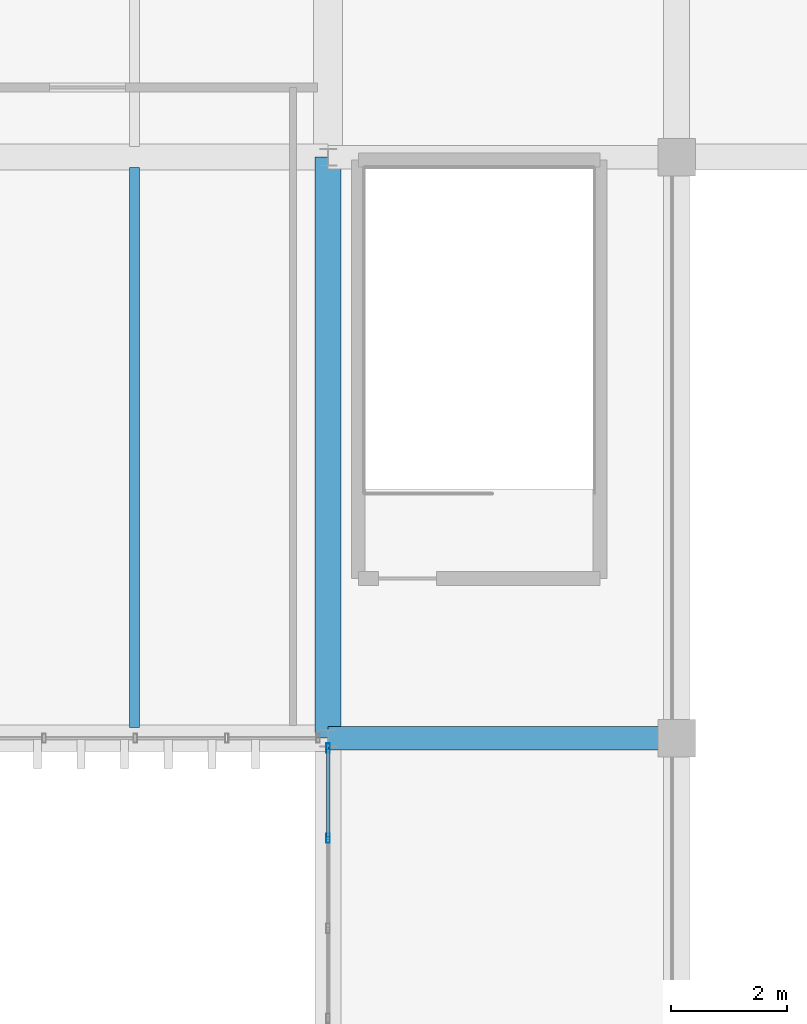
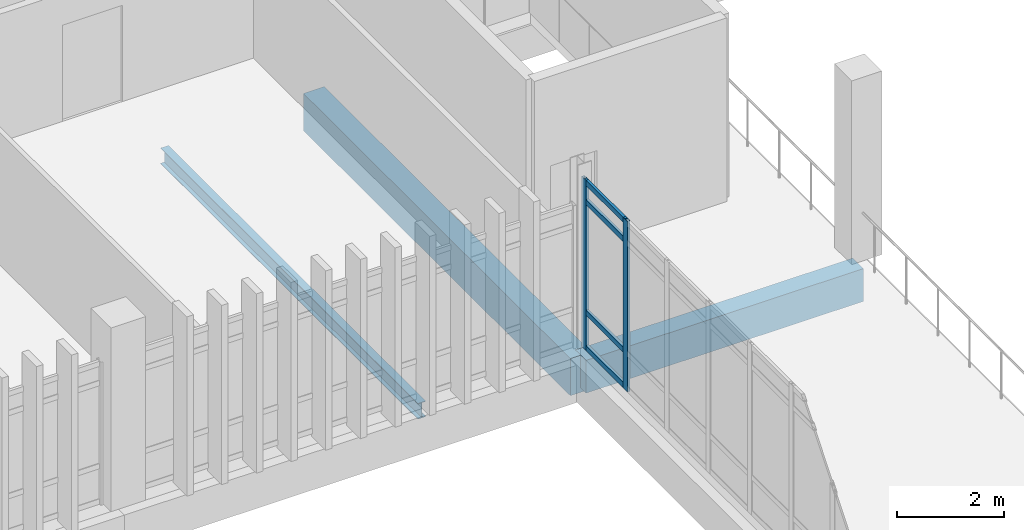
# One storey, part 89 of 161: 6 members, 3 beams, 1 element without a shape of its own.
"""IFC4 building model written with IfcOpenShell, lengths in metres."""

from ifc_helpers import new_model, si_unit, direction, frame, origin, origin_2d, place, context, subcontext, project, spatial, rectangle, hollow_rectangle, i_section, extrude, material, layer, layer_set, material_profile, profile_set, type_object, element, aggregate, save


model = new_model("IFC4")

# Units and contexts
model_context = context("Model", 3, precision=1e-05, world=origin(), true_north=direction((0.0, 1.0)))
body_context = subcontext(model_context, "Body", "Model", "MODEL_VIEW")
ifc_project = project(units=[si_unit("LENGTHUNIT", "METRE"), si_unit("AREAUNIT", "SQUARE_METRE"), si_unit("VOLUMEUNIT", "CUBIC_METRE"), si_unit("PLANEANGLEUNIT", "RADIAN"), si_unit("MASSUNIT", "GRAM", prefix="KILO")], contexts=[model_context])

# Site, building, storey
site_placement = place(None, origin())
site = spatial("IfcSite", under=ifc_project, at=site_placement, CompositionType="ELEMENT")
building_placement = place(site_placement, origin())
building = spatial("IfcBuilding", under=site, at=building_placement, Name="Mersad Railyard Sports Hall", CompositionType="ELEMENT")
storey_placement = place(building_placement, frame((0.0, 0.0, 4.800048828125)))
storey = spatial("IfcBuildingStorey", under=building, at=storey_placement, Name="L01", CompositionType="ELEMENT", Elevation=4.800048828125)

# Curtain wall, members
ifc_material_1 = material(Name="Aluminium 6063-T6", Category="aluminium")
ifc_layer = layer(ifc_material_1, 0.159912109375)
ifc_layer_set = layer_set([ifc_layer], Name="Aluminium 6063-T6")
curtain_wall_type = type_object("IfcCurtainWallType", Name="ARC-CW-CW27", PredefinedType="USERDEFINED", material=ifc_layer_set)
curtain_wall_placement = place(storey_placement, origin())
curtain_wall = element("IfcCurtainWall", 1, at=curtain_wall_placement, inside=storey, type_object=curtain_wall_type, Name="Curtain wall CW27-0078", ObjectType="CURTAIN WALL", PredefinedType="USERDEFINED")
ifc_material_profile_1 = material_profile(ifc_material_1, hollow_rectangle(XDim=0.06005859375, YDim=0.159912109375, WallThickness=0.00390625, at=origin_2d()), Name="AL MULLION 60x160x4")
ifc_profile_set_1 = profile_set([ifc_material_profile_1], Name="Aluminium 6063-T6")
member_type_1 = type_object("IfcMemberType", Name="ARC-CW-MUL01", PredefinedType="MULLION", material=ifc_profile_set_1)
member_1_placement = place(storey_placement, frame((131.0, 83.278564453125, -0.02001953125), z_axis=(0.0, 0.0, 1.0), x_axis=(1.0, 0.0, 0.0)))
member_1 = element("IfcMember", 2, at=member_1_placement, type_object=member_type_1, Name="CW27 Mullion 7", PredefinedType="MULLION", context=body_context, shape_type="SweptSolid", body=[
    extrude(hollow_rectangle(XDim=0.06005859375, YDim=0.159912109375, WallThickness=0.00390625, at=origin_2d()), origin(), (0.0, 0.0, 1.0), 3.89990234375),
])
member_2_placement = place(storey_placement, frame((131.0, 84.830078125, -0.02001953125), z_axis=(0.0, 0.0, 1.0), x_axis=(1.0, 0.0, 0.0)))
member_2 = element("IfcMember", 3, at=member_2_placement, type_object=member_type_1, Name="CW27 Mullion 8", PredefinedType="MULLION", context=body_context, shape_type="SweptSolid", body=[
    extrude(hollow_rectangle(XDim=0.06005859375, YDim=0.159912109375, WallThickness=0.00390625, at=origin_2d()), origin(), (0.0, 0.0, 1.0), 3.89990234375),
])
ifc_material_profile_2 = material_profile(ifc_material_1, hollow_rectangle(XDim=0.06005859375, YDim=0.1201171875, WallThickness=0.00390625, at=origin_2d()), Name="AL TRANSOM 60x120x4")
ifc_profile_set_2 = profile_set([ifc_material_profile_2], Name="Aluminium 6063-T6")
member_type_2 = type_object("IfcMemberType", Name="ARC-CW-TRN01", PredefinedType="USERDEFINED", material=ifc_profile_set_2)
member_3_placement = place(storey_placement, frame((131.0, 83.298583984375, 0.0400390625), z_axis=(0.0, 1.0, 0.0), x_axis=(-1.0, 0.0, 0.0)))
member_3 = element("IfcMember", 4, at=member_3_placement, type_object=member_type_2, Name="CW27 Transom 1-7", ObjectType="TRANSOM", PredefinedType="USERDEFINED", context=body_context, shape_type="SweptSolid", body=[
    extrude(hollow_rectangle(XDim=0.06005859375, YDim=0.1201171875, WallThickness=0.00390625, at=origin_2d()), origin(), (0.0, 0.0, 1.0), 1.511474609375),
])
member_4_placement = place(storey_placement, frame((131.0, 83.298583984375, 0.849853515625), z_axis=(0.0, 1.0, 0.0), x_axis=(-1.0, 0.0, 0.0)))
member_4 = element("IfcMember", 5, at=member_4_placement, type_object=member_type_2, Name="CW27 Transom 2-7", ObjectType="TRANSOM", PredefinedType="USERDEFINED", context=body_context, shape_type="SweptSolid", body=[
    extrude(hollow_rectangle(XDim=0.06005859375, YDim=0.1201171875, WallThickness=0.00390625, at=origin_2d()), origin(), (0.0, 0.0, 1.0), 1.511474609375),
])
member_5_placement = place(storey_placement, frame((131.0, 83.298583984375, 3.3798828125), z_axis=(0.0, 1.0, 0.0), x_axis=(-1.0, 0.0, 0.0)))
member_5 = element("IfcMember", 6, at=member_5_placement, type_object=member_type_2, Name="CW27 Transom 3-7", ObjectType="TRANSOM", PredefinedType="USERDEFINED", context=body_context, shape_type="SweptSolid", body=[
    extrude(hollow_rectangle(XDim=0.06005859375, YDim=0.1201171875, WallThickness=0.00390625, at=origin_2d()), origin(), (0.0, 0.0, 1.0), 1.511474609375),
])
member_6_placement = place(storey_placement, frame((131.0, 83.298583984375, 3.820068359375), z_axis=(0.0, 1.0, 0.0), x_axis=(-1.0, 0.0, 0.0)))
member_6 = element("IfcMember", 7, at=member_6_placement, type_object=member_type_2, Name="CW27 Transom 4-7", ObjectType="TRANSOM", PredefinedType="USERDEFINED", context=body_context, shape_type="SweptSolid", body=[
    extrude(hollow_rectangle(XDim=0.06005859375, YDim=0.1201171875, WallThickness=0.00390625, at=origin_2d()), origin(), (0.0, 0.0, 1.0), 1.511474609375),
])
aggregate(curtain_wall, [member_1, member_2, member_3, member_4, member_5, member_6])

# Beams
ifc_material_2 = material(Name="Concrete C40/50", Category="concrete")
ifc_material_profile_3 = material_profile(ifc_material_2, rectangle(XDim=0.39990234375, YDim=0.75, at=origin_2d()), Name="RC 400x750")
ifc_profile_set_3 = profile_set([ifc_material_profile_3], Name="Concrete C40/50")
beam_type_1 = type_object("IfcBeamType", Name="STR-BM-B01", PredefinedType="BEAM", material=ifc_profile_set_3)
beam_1_placement = place(storey_placement, frame((131.0, 85.0, -0.655029296875), z_axis=(1.0, 0.0, 0.0), x_axis=(0.0, 1.0, 0.0)))
element("IfcBeam", 8, at=beam_1_placement, inside=storey, type_object=beam_type_1, Name="Beam B01-0901", PredefinedType="BEAM", context=body_context, shape_type="SweptSolid", body=[
    extrude(rectangle(XDim=0.39990234375, YDim=0.75, at=origin_2d()), origin(), (0.0, 0.0, 1.0), 6.0),
])
ifc_material_profile_4 = material_profile(ifc_material_2, rectangle(XDim=0.449951171875, YDim=0.85009765625, at=origin_2d()), Name="RC 450x850")
ifc_profile_set_4 = profile_set([ifc_material_profile_4], Name="Concrete C40/50")
beam_type_2 = type_object("IfcBeamType", Name="STR-BM-B02", PredefinedType="BEAM", material=ifc_profile_set_4)
beam_2_placement = place(storey_placement, frame((131.0, 85.0, -0.705078125), z_axis=(0.0, 1.0, 0.0), x_axis=(-1.0, 0.0, 0.0)))
element("IfcBeam", 9, at=beam_2_placement, inside=storey, type_object=beam_type_2, Name="Beam B02-0904", PredefinedType="BEAM", context=body_context, shape_type="SweptSolid", body=[
    extrude(rectangle(XDim=0.449951171875, YDim=0.85009765625, at=origin_2d()), origin(), (0.0, 0.0, 1.0), 10.0),
])
ifc_material_3 = material(Name="Steel S355", Category="steel")
ifc_material_profile_5 = material_profile(ifc_material_3, i_section(OverallWidth=0.169921875, OverallDepth=0.360107421875, WebThickness=0.008056640625, FlangeThickness=0.0126953125, at=origin_2d()), Name="IPE 360")
ifc_profile_set_5 = profile_set([ifc_material_profile_5], Name="Steel S355")
beam_type_3 = type_object("IfcBeamType", Name="STR-BM-J03", PredefinedType="JOIST", material=ifc_profile_set_5)
beam_3_placement = place(storey_placement, frame((127.6669921875, 85.179931640625, -0.47998046875), z_axis=(0.0, 1.0, 0.0), x_axis=(-1.0, 0.0, 0.0)))
element("IfcBeam", 10, at=beam_3_placement, inside=storey, type_object=beam_type_3, Name="Beam J03-1044", PredefinedType="JOIST", context=body_context, shape_type="SweptSolid", body=[
    extrude(i_section(OverallWidth=0.169921875, OverallDepth=0.360107421875, WebThickness=0.008056640625, FlangeThickness=0.0126953125, at=origin_2d()), origin(), (0.0, 0.0, 1.0), 9.64013671875),
])

save(model, "model.ifc")
